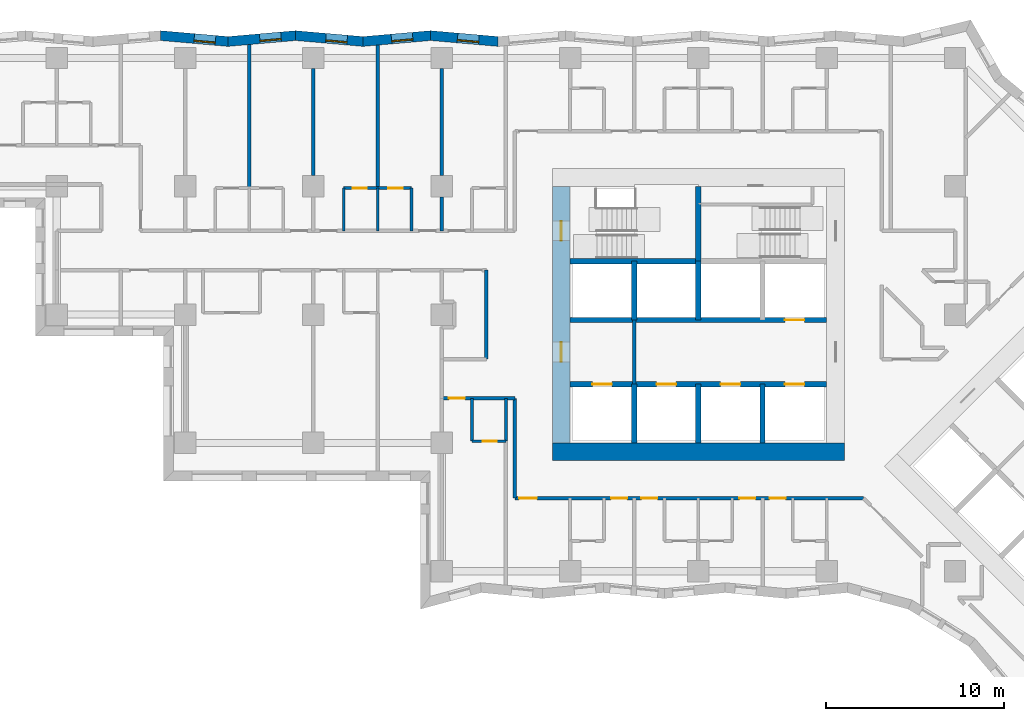
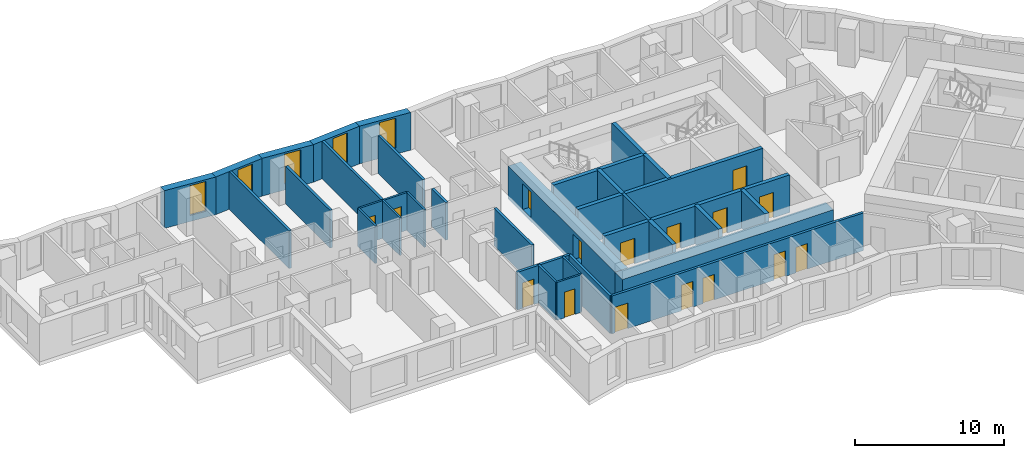
# One storey, part 5 of 13: 33 walls, 16 doors, 5 windows, 21 openings.
"""IFC4 building model written with IfcOpenShell, lengths in metres."""

from ifc_helpers import new_model, si_unit, direction, frame, frame_2d, origin, place, context, subcontext, project, spatial, polyline, rectangle, outline, extrude, material, layer, layer_set, type_object, element, fill, save


model = new_model("IFC4")

# Units and contexts
model_context = context("Model", 3, precision=1e-05, world=origin(), true_north=direction((0.0, 1.0)))
body_context = subcontext(model_context, "Body", "Model", "MODEL_VIEW")
ifc_project = project(units=[si_unit("LENGTHUNIT", "METRE"), si_unit("AREAUNIT", "SQUARE_METRE"), si_unit("VOLUMEUNIT", "CUBIC_METRE"), si_unit("PLANEANGLEUNIT", "RADIAN"), si_unit("MASSUNIT", "GRAM", prefix="KILO")], contexts=[model_context])

# Site, building, storey
site_placement = place(None, origin())
site = spatial("IfcSite", under=ifc_project, at=site_placement, CompositionType="ELEMENT")
building_placement = place(site_placement, origin())
building = spatial("IfcBuilding", under=site, at=building_placement, Name="Windrow Commons", CompositionType="ELEMENT")
storey_placement = place(building_placement, frame((0.0, 0.0, 30.4)))
storey = spatial("IfcBuildingStorey", under=building, at=storey_placement, Name="L07", CompositionType="ELEMENT", Elevation=30.4)

# Wall, opening, window
ifc_material_1 = material(Name="Brick masonry, red clay brick", Category="masonry")
ifc_layer_1 = layer(ifc_material_1, 0.55)
ifc_layer_set_1 = layer_set([ifc_layer_1], Name="Brick facade wall 550")
wall_type_1 = type_object("IfcWallType", Name="Brick facade wall 550", PredefinedType="SOLIDWALL", material=ifc_layer_set_1)
wall_1_placement = place(storey_placement, frame((53.5644, 72.924, 0.0), z_axis=(0.0, 0.0, 1.0), x_axis=(-0.9962271558, 0.0867839505, 0.0)))
wall_1 = element("IfcWall", 1, at=wall_1_placement, inside=storey, type_object=wall_type_1, Name="Brick facade wall L07 30", PredefinedType="SOLIDWALL", context=body_context, shape_type="SweptSolid", body=[
    extrude(outline(polyline([(0.024, -0.275), (3.8266, -0.275), (3.7787, 0.275), (-0.024, 0.275), (0.024, -0.275)])), origin(), (0.0, 0.0, 1.0), 3.1),
])
opening_1_placement = place(wall_1_placement, frame((1.0882, 0.0, 0.5)))
opening_1 = element("IfcOpeningElement", 2, at=opening_1_placement, cuts=wall_1, Name="Opening W7D", PredefinedType="OPENING", context=body_context, shape_type="SweptSolid", body=[
    extrude(rectangle(XDim=1.2, YDim=2.45, at=frame_2d((0.6, 1.225))), frame((0.0, 0.285, 0.0), z_axis=(0.0, -1.0, 0.0), x_axis=(1.0, 0.0, 0.0)), (0.0, 0.0, 1.0), 0.57),
])
ifc_material_2 = material(Name="Clear float glass in anodised aluminium frame", Category="aluminium")
window_type = type_object("IfcWindowType", Name="Window W7 notch 1200x2450", PartitioningType="SINGLE_PANEL", PredefinedType="WINDOW", material=ifc_material_2)
window_1_placement = place(opening_1_placement, origin())
window_1 = element("IfcWindow", 3, at=window_1_placement, inside=storey, type_object=window_type, Name="Window L07 30.1", OverallHeight=2.45, OverallWidth=1.2, PartitioningType="SINGLE_PANEL", PredefinedType="WINDOW", context=body_context, shape_type="SweptSolid", body=[
    extrude(rectangle(XDim=1.2, YDim=2.45, at=frame_2d((0.6, 1.225))), frame((0.0, 0.155, 0.0), z_axis=(0.0, -1.0, 0.0), x_axis=(1.0, 0.0, 0.0)), (0.0, 0.0, 1.0), 0.06),
])
fill(opening_1, window_1)

wall_2_placement = place(storey_placement, frame((49.7762, 73.254, 0.0), z_axis=(0.0, 0.0, 1.0), x_axis=(-0.9962273538, -0.0867816769, 0.0)))
wall_2 = element("IfcWall", 4, at=wall_2_placement, inside=storey, type_object=wall_type_1, Name="Brick facade wall L07 31", PredefinedType="SOLIDWALL", context=body_context, shape_type="SweptSolid", body=[
    extrude(outline(polyline([(-0.024, -0.275), (3.7787, -0.275), (3.8266, 0.275), (0.024, 0.275), (-0.024, -0.275)])), origin(), (0.0, 0.0, 1.0), 3.1),
])
opening_2_placement = place(wall_2_placement, frame((1.0057, 0.0, 0.5)))
opening_2 = element("IfcOpeningElement", 5, at=opening_2_placement, cuts=wall_2, Name="Opening W7D", PredefinedType="OPENING", context=body_context, shape_type="SweptSolid", body=[
    extrude(rectangle(XDim=1.2, YDim=2.45, at=frame_2d((0.6, 1.225))), frame((0.0, 0.285, 0.0), z_axis=(0.0, -1.0, 0.0), x_axis=(1.0, 0.0, 0.0)), (0.0, 0.0, 1.0), 0.57),
])
window_2_placement = place(opening_2_placement, origin())
window_2 = element("IfcWindow", 6, at=window_2_placement, inside=storey, type_object=window_type, Name="Window L07 31.1", OverallHeight=2.45, OverallWidth=1.2, PartitioningType="SINGLE_PANEL", PredefinedType="WINDOW", context=body_context, shape_type="SweptSolid", body=[
    extrude(rectangle(XDim=1.2, YDim=2.45, at=frame_2d((0.6, 1.225))), frame((0.0, 0.155, 0.0), z_axis=(0.0, -1.0, 0.0), x_axis=(1.0, 0.0, 0.0)), (0.0, 0.0, 1.0), 0.06),
])
fill(opening_2, window_2)

wall_3_placement = place(storey_placement, frame((45.9879, 72.924, 0.0), z_axis=(0.0, 0.0, 1.0), x_axis=(-0.9962273538, 0.0867816769, 0.0)))
wall_3 = element("IfcWall", 7, at=wall_3_placement, inside=storey, type_object=wall_type_1, Name="Brick facade wall L07 32", PredefinedType="SOLIDWALL", context=body_context, shape_type="SweptSolid", body=[
    extrude(outline(polyline([(0.024, -0.275), (3.8266, -0.275), (3.7787, 0.275), (-0.024, 0.275), (0.024, -0.275)])), origin(), (0.0, 0.0, 1.0), 3.1),
])
opening_3_placement = place(wall_3_placement, frame((0.8992, 0.0, 0.5)))
opening_3 = element("IfcOpeningElement", 8, at=opening_3_placement, cuts=wall_3, Name="Opening W7D", PredefinedType="OPENING", context=body_context, shape_type="SweptSolid", body=[
    extrude(rectangle(XDim=1.2, YDim=2.45, at=frame_2d((0.6, 1.225))), frame((0.0, 0.285, 0.0), z_axis=(0.0, -1.0, 0.0), x_axis=(1.0, 0.0, 0.0)), (0.0, 0.0, 1.0), 0.57),
])
window_3_placement = place(opening_3_placement, origin())
window_3 = element("IfcWindow", 9, at=window_3_placement, inside=storey, type_object=window_type, Name="Window L07 32.1", OverallHeight=2.45, OverallWidth=1.2, PartitioningType="SINGLE_PANEL", PredefinedType="WINDOW", context=body_context, shape_type="SweptSolid", body=[
    extrude(rectangle(XDim=1.2, YDim=2.45, at=frame_2d((0.6, 1.225))), frame((0.0, 0.155, 0.0), z_axis=(0.0, -1.0, 0.0), x_axis=(1.0, 0.0, 0.0)), (0.0, 0.0, 1.0), 0.06),
])
fill(opening_3, window_3)

wall_4_placement = place(storey_placement, frame((42.1996, 73.254, 0.0), z_axis=(0.0, 0.0, 1.0), x_axis=(-0.9962273538, -0.0867816769, 0.0)))
wall_4 = element("IfcWall", 10, at=wall_4_placement, inside=storey, type_object=wall_type_1, Name="Brick facade wall L07 33", PredefinedType="SOLIDWALL", context=body_context, shape_type="SweptSolid", body=[
    extrude(outline(polyline([(-0.024, -0.275), (3.7787, -0.275), (3.8266, 0.275), (0.024, 0.275), (-0.024, -0.275)])), origin(), (0.0, 0.0, 1.0), 3.1),
])
opening_4_placement = place(wall_4_placement, frame((0.8167, 0.0, 0.5)))
opening_4 = element("IfcOpeningElement", 11, at=opening_4_placement, cuts=wall_4, Name="Opening W7D", PredefinedType="OPENING", context=body_context, shape_type="SweptSolid", body=[
    extrude(rectangle(XDim=1.2, YDim=2.45, at=frame_2d((0.6, 1.225))), frame((0.0, 0.285, 0.0), z_axis=(0.0, -1.0, 0.0), x_axis=(1.0, 0.0, 0.0)), (0.0, 0.0, 1.0), 0.57),
])
window_4_placement = place(opening_4_placement, origin())
window_4 = element("IfcWindow", 12, at=window_4_placement, inside=storey, type_object=window_type, Name="Window L07 33.1", OverallHeight=2.45, OverallWidth=1.2, PartitioningType="SINGLE_PANEL", PredefinedType="WINDOW", context=body_context, shape_type="SweptSolid", body=[
    extrude(rectangle(XDim=1.2, YDim=2.45, at=frame_2d((0.6, 1.225))), frame((0.0, 0.155, 0.0), z_axis=(0.0, -1.0, 0.0), x_axis=(1.0, 0.0, 0.0)), (0.0, 0.0, 1.0), 0.06),
])
fill(opening_4, window_4)

wall_5_placement = place(storey_placement, frame((38.4113, 72.924, 0.0), z_axis=(0.0, 0.0, 1.0), x_axis=(-0.9962271558, 0.0867839505, 0.0)))
wall_5 = element("IfcWall", 13, at=wall_5_placement, inside=storey, type_object=wall_type_1, Name="Brick facade wall L07 34", PredefinedType="SOLIDWALL", context=body_context, shape_type="SweptSolid", body=[
    extrude(outline(polyline([(0.024, -0.275), (3.8266, -0.275), (3.7787, 0.275), (-0.024, 0.275), (0.024, -0.275)])), origin(), (0.0, 0.0, 1.0), 3.1),
])
opening_5_placement = place(wall_5_placement, frame((0.7102, 0.0, 0.5)))
opening_5 = element("IfcOpeningElement", 14, at=opening_5_placement, cuts=wall_5, Name="Opening W7D", PredefinedType="OPENING", context=body_context, shape_type="SweptSolid", body=[
    extrude(rectangle(XDim=1.2, YDim=2.45, at=frame_2d((0.6, 1.225))), frame((0.0, 0.285, 0.0), z_axis=(0.0, -1.0, 0.0), x_axis=(1.0, 0.0, 0.0)), (0.0, 0.0, 1.0), 0.57),
])
window_5_placement = place(opening_5_placement, origin())
window_5 = element("IfcWindow", 15, at=window_5_placement, inside=storey, type_object=window_type, Name="Window L07 34.1", OverallHeight=2.45, OverallWidth=1.2, PartitioningType="SINGLE_PANEL", PredefinedType="WINDOW", context=body_context, shape_type="SweptSolid", body=[
    extrude(rectangle(XDim=1.2, YDim=2.45, at=frame_2d((0.6, 1.225))), frame((0.0, 0.155, 0.0), z_axis=(0.0, -1.0, 0.0), x_axis=(1.0, 0.0, 0.0)), (0.0, 0.0, 1.0), 0.06),
])
fill(opening_5, window_5)

# Wall
ifc_material_3 = material(Name="Blockwork partition", Category="masonry")
ifc_layer_2 = layer(ifc_material_3, 0.2)
ifc_layer_set_2 = layer_set([ifc_layer_2], Name="Fire lobby partition 200")
wall_type_2 = type_object("IfcWallType", Name="Fire lobby partition 200", PredefinedType="PARTITIONING", material=ifc_layer_set_2)
wall_6_placement = place(storey_placement, frame((61.2, 53.7, 0.0), z_axis=(0.0, 0.0, 1.0), x_axis=(0.0, 1.0, 0.0)))
element("IfcWall", 16, at=wall_6_placement, inside=storey, type_object=wall_type_2, Name="W-core-lobby-A-L07", PredefinedType="PARTITIONING", context=body_context, shape_type="SweptSolid", body=[
    extrude(rectangle(XDim=3.6, YDim=0.2, at=frame_2d((1.8, 0.0))), origin(), (0.0, 0.0, 1.0), 3.1),
])

# Wall, openings, doors
ifc_material_4 = material(Name="Blockwork partition", Category="masonry")
ifc_layer_3 = layer(ifc_material_4, 0.2)
ifc_layer_set_3 = layer_set([ifc_layer_3], Name="IW-CORRIDOR-200")
wall_type_3 = type_object("IfcWallType", Name="IW-CORRIDOR-200", PredefinedType="PARTITIONING", material=ifc_layer_set_3)
wall_7_placement = place(storey_placement, frame((54.5, 47.3, 0.0), z_axis=(0.0, 0.0, 1.0), x_axis=(1.0, 0.0, 0.0)))
wall_7 = element("IfcWall", 17, at=wall_7_placement, inside=storey, type_object=wall_type_3, Name="W-L07-W003", PredefinedType="PARTITIONING", context=body_context, shape_type="SweptSolid", body=[
    extrude(rectangle(XDim=19.56, YDim=0.2, at=frame_2d((9.78, 0.0))), origin(), (0.0, 0.0, 1.0), 3.1),
])
opening_6_placement = place(wall_7_placement, frame((0.2434, 0.0, 0.0)))
opening_6 = element("IfcOpeningElement", 18, at=opening_6_placement, cuts=wall_7, Name="Opening D310F", PredefinedType="OPENING", context=body_context, shape_type="SweptSolid", body=[
    extrude(rectangle(XDim=1.0, YDim=2.1, at=frame_2d((0.5, 1.05))), frame((0.0, 0.11, 0.0), z_axis=(0.0, -1.0, 0.0), x_axis=(1.0, 0.0, 0.0)), (0.0, 0.0, 1.0), 0.22),
])
opening_7_placement = place(wall_7_placement, frame((5.4, 0.0, 0.0)))
opening_7 = element("IfcOpeningElement", 19, at=opening_7_placement, cuts=wall_7, Name="Opening D109S", PredefinedType="OPENING", context=body_context, shape_type="SweptSolid", body=[
    extrude(rectangle(XDim=0.9, YDim=2.1, at=frame_2d((0.45, 1.05))), frame((0.0, 0.11, 0.0), z_axis=(0.0, -1.0, 0.0), x_axis=(1.0, 0.0, 0.0)), (0.0, 0.0, 1.0), 0.22),
])
opening_8_placement = place(wall_7_placement, frame((7.1, 0.0, 0.0)))
opening_8 = element("IfcOpeningElement", 20, at=opening_8_placement, cuts=wall_7, Name="Opening D109S", PredefinedType="OPENING", context=body_context, shape_type="SweptSolid", body=[
    extrude(rectangle(XDim=0.9, YDim=2.1, at=frame_2d((0.45, 1.05))), frame((0.0, 0.11, 0.0), z_axis=(0.0, -1.0, 0.0), x_axis=(1.0, 0.0, 0.0)), (0.0, 0.0, 1.0), 0.22),
])
opening_9_placement = place(wall_7_placement, frame((12.6, 0.0, 0.0)))
opening_9 = element("IfcOpeningElement", 21, at=opening_9_placement, cuts=wall_7, Name="Opening D109S", PredefinedType="OPENING", context=body_context, shape_type="SweptSolid", body=[
    extrude(rectangle(XDim=0.9, YDim=2.1, at=frame_2d((0.45, 1.05))), frame((0.0, 0.11, 0.0), z_axis=(0.0, -1.0, 0.0), x_axis=(1.0, 0.0, 0.0)), (0.0, 0.0, 1.0), 0.22),
])
opening_10_placement = place(wall_7_placement, frame((14.3, 0.0, 0.0)))
opening_10 = element("IfcOpeningElement", 22, at=opening_10_placement, cuts=wall_7, Name="Opening D109S", PredefinedType="OPENING", context=body_context, shape_type="SweptSolid", body=[
    extrude(rectangle(XDim=0.9, YDim=2.1, at=frame_2d((0.45, 1.05))), frame((0.0, 0.11, 0.0), z_axis=(0.0, -1.0, 0.0), x_axis=(1.0, 0.0, 0.0)), (0.0, 0.0, 1.0), 0.22),
])
ifc_material_5 = material(Name="Timber door leaf", Category="wood")
door_type_1 = type_object("IfcDoorType", Name="DT-AMENITY-1000", OperationType="SINGLE_SWING_LEFT", PredefinedType="DOOR", material=ifc_material_5)
door_1_placement = place(opening_6_placement, origin())
door_1 = element("IfcDoor", 23, at=door_1_placement, inside=storey, type_object=door_type_1, Name="D-L07-D030", OperationType="SINGLE_SWING_RIGHT", OverallHeight=2.1, OverallWidth=1.0, PredefinedType="DOOR", context=body_context, shape_type="SweptSolid", body=[
    extrude(rectangle(XDim=1.0, YDim=2.1, at=frame_2d((0.5, 1.05))), frame((0.0, 0.025, 0.0), z_axis=(0.0, -1.0, 0.0), x_axis=(1.0, 0.0, 0.0)), (0.0, 0.0, 1.0), 0.05),
])
fill(opening_6, door_1)
ifc_material_6 = material(Name="Timber door leaf", Category="wood")
door_type_2 = type_object("IfcDoorType", Name="DT-BEDROOM-900", OperationType="SINGLE_SWING_LEFT", PredefinedType="DOOR", material=ifc_material_6)
door_2_placement = place(opening_7_placement, origin())
door_2 = element("IfcDoor", 24, at=door_2_placement, inside=storey, type_object=door_type_2, Name="D-L07-D039", OperationType="SINGLE_SWING_LEFT", OverallHeight=2.1, OverallWidth=0.9, PredefinedType="DOOR", context=body_context, shape_type="SweptSolid", body=[
    extrude(rectangle(XDim=0.9, YDim=2.1, at=frame_2d((0.45, 1.05))), frame((0.0, 0.025, 0.0), z_axis=(0.0, -1.0, 0.0), x_axis=(1.0, 0.0, 0.0)), (0.0, 0.0, 1.0), 0.05),
])
fill(opening_7, door_2)
door_3_placement = place(opening_8_placement, origin())
door_3 = element("IfcDoor", 25, at=door_3_placement, inside=storey, type_object=door_type_2, Name="D-L07-D041", OperationType="SINGLE_SWING_RIGHT", OverallHeight=2.1, OverallWidth=0.9, PredefinedType="DOOR", context=body_context, shape_type="SweptSolid", body=[
    extrude(rectangle(XDim=0.9, YDim=2.1, at=frame_2d((0.45, 1.05))), frame((0.0, 0.025, 0.0), z_axis=(0.0, -1.0, 0.0), x_axis=(1.0, 0.0, 0.0)), (0.0, 0.0, 1.0), 0.05),
])
fill(opening_8, door_3)
door_4_placement = place(opening_9_placement, origin())
door_4 = element("IfcDoor", 26, at=door_4_placement, inside=storey, type_object=door_type_2, Name="D-L07-D043", OperationType="SINGLE_SWING_LEFT", OverallHeight=2.1, OverallWidth=0.9, PredefinedType="DOOR", context=body_context, shape_type="SweptSolid", body=[
    extrude(rectangle(XDim=0.9, YDim=2.1, at=frame_2d((0.45, 1.05))), frame((0.0, 0.025, 0.0), z_axis=(0.0, -1.0, 0.0), x_axis=(1.0, 0.0, 0.0)), (0.0, 0.0, 1.0), 0.05),
])
fill(opening_9, door_4)
door_5_placement = place(opening_10_placement, origin())
door_5 = element("IfcDoor", 27, at=door_5_placement, inside=storey, type_object=door_type_2, Name="D-L07-D045", OperationType="SINGLE_SWING_RIGHT", OverallHeight=2.1, OverallWidth=0.9, PredefinedType="DOOR", context=body_context, shape_type="SweptSolid", body=[
    extrude(rectangle(XDim=0.9, YDim=2.1, at=frame_2d((0.45, 1.05))), frame((0.0, 0.025, 0.0), z_axis=(0.0, -1.0, 0.0), x_axis=(1.0, 0.0, 0.0)), (0.0, 0.0, 1.0), 0.05),
])
fill(opening_10, door_5)

# Walls
wall_8_placement = place(storey_placement, frame((54.5, 47.3, 0.0), z_axis=(0.0, 0.0, 1.0), x_axis=(0.0, 1.0, 0.0)))
element("IfcWall", 28, at=wall_8_placement, inside=storey, type_object=wall_type_3, Name="W-L07-W038", PredefinedType="PARTITIONING", context=body_context, shape_type="SweptSolid", body=[
    extrude(rectangle(XDim=5.6, YDim=0.2, at=frame_2d((2.8, 0.0))), origin(), (0.0, 0.0, 1.0), 3.1),
])
wall_9_placement = place(storey_placement, frame((52.9, 55.102, 0.0), z_axis=(0.0, 0.0, 1.0), x_axis=(0.0, 1.0, 0.0)))
element("IfcWall", 29, at=wall_9_placement, inside=storey, type_object=wall_type_3, Name="W-L07-W048", PredefinedType="PARTITIONING", context=body_context, shape_type="SweptSolid", body=[
    extrude(rectangle(XDim=4.998, YDim=0.2, at=frame_2d((2.499, 0.0))), origin(), (0.0, 0.0, 1.0), 3.1),
])

# Wall, opening, door
wall_10_placement = place(storey_placement, frame((50.4, 52.9, 0.0), z_axis=(0.0, 0.0, 1.0), x_axis=(1.0, 0.0, 0.0)))
wall_10 = element("IfcWall", 30, at=wall_10_placement, inside=storey, type_object=wall_type_3, Name="W-L07-W057", PredefinedType="PARTITIONING", context=body_context, shape_type="SweptSolid", body=[
    extrude(rectangle(XDim=4.1, YDim=0.2, at=frame_2d((2.05, 0.0))), origin(), (0.0, 0.0, 1.0), 3.1),
])
opening_11_placement = place(wall_10_placement, frame((0.4, 0.0, 0.0)))
opening_11 = element("IfcOpeningElement", 31, at=opening_11_placement, cuts=wall_10, Name="Opening D109S", PredefinedType="OPENING", context=body_context, shape_type="SweptSolid", body=[
    extrude(rectangle(XDim=0.9, YDim=2.1, at=frame_2d((0.45, 1.05))), frame((0.0, 0.11, 0.0), z_axis=(0.0, -1.0, 0.0), x_axis=(1.0, 0.0, 0.0)), (0.0, 0.0, 1.0), 0.22),
])
door_6_placement = place(opening_11_placement, origin())
door_6 = element("IfcDoor", 32, at=door_6_placement, inside=storey, type_object=door_type_2, Name="D-L07-D028", OperationType="SINGLE_SWING_LEFT", OverallHeight=2.1, OverallWidth=0.9, PredefinedType="DOOR", context=body_context, shape_type="SweptSolid", body=[
    extrude(rectangle(XDim=0.9, YDim=2.1, at=frame_2d((0.45, 1.05))), frame((0.0, 0.025, 0.0), z_axis=(0.0, -1.0, 0.0), x_axis=(1.0, 0.0, 0.0)), (0.0, 0.0, 1.0), 0.05),
])
fill(opening_11, door_6)

# Wall, openings, doors
ifc_material_7 = material(Name="Blockwork partition", Category="masonry")
ifc_layer_4 = layer(ifc_material_7, 0.15)
ifc_layer_set_4 = layer_set([ifc_layer_4], Name="IW-ENSUITE-150")
wall_type_4 = type_object("IfcWallType", Name="IW-ENSUITE-150", PredefinedType="PARTITIONING", material=ifc_layer_set_4)
wall_11_placement = place(storey_placement, frame((44.9, 64.7, 0.0), z_axis=(0.0, 0.0, 1.0), x_axis=(1.0, 0.0, 0.0)))
wall_11 = element("IfcWall", 33, at=wall_11_placement, inside=storey, type_object=wall_type_4, Name="W-L07-W060", PredefinedType="PARTITIONING", context=body_context, shape_type="SweptSolid", body=[
    extrude(rectangle(XDim=3.8, YDim=0.15, at=frame_2d((1.9, 0.0))), origin(), (0.0, 0.0, 1.0), 3.1),
])
opening_12_placement = place(wall_11_placement, frame((0.4931, 0.0, 0.0)))
opening_12 = element("IfcOpeningElement", 34, at=opening_12_placement, cuts=wall_11, Name="Opening D208N", PredefinedType="OPENING", context=body_context, shape_type="SweptSolid", body=[
    extrude(rectangle(XDim=0.8, YDim=2.1, at=frame_2d((0.4, 1.05))), frame((0.0, 0.085, 0.0), z_axis=(0.0, -1.0, 0.0), x_axis=(1.0, 0.0, 0.0)), (0.0, 0.0, 1.0), 0.17),
])
opening_13_placement = place(wall_11_placement, frame((2.5069, 0.0, 0.0)))
opening_13 = element("IfcOpeningElement", 35, at=opening_13_placement, cuts=wall_11, Name="Opening D208N", PredefinedType="OPENING", context=body_context, shape_type="SweptSolid", body=[
    extrude(rectangle(XDim=0.8, YDim=2.1, at=frame_2d((0.4, 1.05))), frame((0.0, 0.085, 0.0), z_axis=(0.0, -1.0, 0.0), x_axis=(1.0, 0.0, 0.0)), (0.0, 0.0, 1.0), 0.17),
])
ifc_material_8 = material(Name="Timber door leaf", Category="wood")
door_type_3 = type_object("IfcDoorType", Name="DT-ENSUITE-800", OperationType="SINGLE_SWING_LEFT", PredefinedType="DOOR", material=ifc_material_8)
door_7_placement = place(opening_12_placement, origin())
door_7 = element("IfcDoor", 36, at=door_7_placement, inside=storey, type_object=door_type_3, Name="D-L07-D019", OperationType="SINGLE_SWING_RIGHT", OverallHeight=2.1, OverallWidth=0.8, PredefinedType="DOOR", context=body_context, shape_type="SweptSolid", body=[
    extrude(rectangle(XDim=0.8, YDim=2.1, at=frame_2d((0.4, 1.05))), frame((0.0, 0.025, 0.0), z_axis=(0.0, -1.0, 0.0), x_axis=(1.0, 0.0, 0.0)), (0.0, 0.0, 1.0), 0.05),
])
fill(opening_12, door_7)
door_8_placement = place(opening_13_placement, origin())
door_8 = element("IfcDoor", 37, at=door_8_placement, inside=storey, type_object=door_type_3, Name="D-L07-D021", OperationType="SINGLE_SWING_RIGHT", OverallHeight=2.1, OverallWidth=0.8, PredefinedType="DOOR", context=body_context, shape_type="SweptSolid", body=[
    extrude(rectangle(XDim=0.8, YDim=2.1, at=frame_2d((0.4, 1.05))), frame((0.0, 0.025, 0.0), z_axis=(0.0, -1.0, 0.0), x_axis=(1.0, 0.0, 0.0)), (0.0, 0.0, 1.0), 0.05),
])
fill(opening_13, door_8)

# Walls
for number, where, z_axis, x_axis, name in (
    (38, (44.9, 62.3, 0.0), (0.0, 0.0, 1.0), (0.0, 1.0, 0.0), "W-L07-W090"),
    (39, (46.8, 62.3, 0.0), (0.0, 0.0, 1.0), (0.0, 1.0, 0.0), "W-L07-W091"),
    (40, (48.7, 62.3, 0.0), (0.0, 0.0, 1.0), (0.0, 1.0, 0.0), "W-L07-W092"),
    (41, (52.1, 50.5, 0.0), (0.0, 0.0, 1.0), (0.0, 1.0, 0.0), "W-L07-W099"),
    (42, (54.0, 50.5, 0.0), (0.0, 0.0, 1.0), (0.0, 1.0, 0.0), "W-L07-W100"),
):
    element("IfcWall", number, at=place(storey_placement, frame(where, z_axis=z_axis, x_axis=x_axis)), inside=storey, type_object=wall_type_4, Name=name, PredefinedType="PARTITIONING", context=body_context, shape_type="SweptSolid", body=[
        extrude(rectangle(XDim=2.4, YDim=0.15, at=frame_2d((1.2, 0.0))), origin(), (0.0, 0.0, 1.0), 3.1),
    ])

# Wall, opening, door
wall_12_placement = place(storey_placement, frame((52.1, 50.5, 0.0), z_axis=(0.0, 0.0, 1.0), x_axis=(1.0, 0.0, 0.0)))
wall_12 = element("IfcWall", 43, at=wall_12_placement, inside=storey, type_object=wall_type_4, Name="W-L07-W152", PredefinedType="PARTITIONING", context=body_context, shape_type="SweptSolid", body=[
    extrude(rectangle(XDim=1.9, YDim=0.15, at=frame_2d((0.95, 0.0))), origin(), (0.0, 0.0, 1.0), 3.1),
])
opening_14_placement = place(wall_12_placement, frame((0.5979, 0.0, 0.0)))
opening_14 = element("IfcOpeningElement", 44, at=opening_14_placement, cuts=wall_12, Name="Opening D208N", PredefinedType="OPENING", context=body_context, shape_type="SweptSolid", body=[
    extrude(rectangle(XDim=0.8, YDim=2.1, at=frame_2d((0.4, 1.05))), frame((0.0, 0.085, 0.0), z_axis=(0.0, -1.0, 0.0), x_axis=(1.0, 0.0, 0.0)), (0.0, 0.0, 1.0), 0.17),
])
door_9_placement = place(opening_14_placement, origin())
door_9 = element("IfcDoor", 45, at=door_9_placement, inside=storey, type_object=door_type_3, Name="D-L07-D029", OperationType="SINGLE_SWING_RIGHT", OverallHeight=2.1, OverallWidth=0.8, PredefinedType="DOOR", context=body_context, shape_type="SweptSolid", body=[
    extrude(rectangle(XDim=0.8, YDim=2.1, at=frame_2d((0.4, 1.05))), frame((0.0, 0.025, 0.0), z_axis=(0.0, -1.0, 0.0), x_axis=(1.0, 0.0, 0.0)), (0.0, 0.0, 1.0), 0.05),
])
fill(opening_14, door_9)

# Walls
ifc_material_9 = material(Name="Blockwork partition", Category="masonry")
ifc_layer_5 = layer(ifc_material_9, 0.2)
ifc_layer_set_5 = layer_set([ifc_layer_5], Name="IW-PARTY-200")
wall_type_5 = type_object("IfcWallType", Name="IW-PARTY-200", PredefinedType="PARTITIONING", material=ifc_layer_set_5)
wall_13_placement = place(storey_placement, frame((39.6, 64.7, 0.0), z_axis=(0.0, 0.0, 1.0), x_axis=(0.0, 1.0, 0.0)))
element("IfcWall", 46, at=wall_13_placement, inside=storey, type_object=wall_type_5, Name="W-L07-W016", PredefinedType="PARTITIONING", context=body_context, shape_type="SweptSolid", body=[
    extrude(rectangle(XDim=8.0515, YDim=0.2, at=frame_2d((4.0258, 0.0))), origin(), (0.0, 0.0, 1.0), 3.1),
])
wall_14_placement = place(storey_placement, frame((46.8, 64.7, 0.0), z_axis=(0.0, 0.0, 1.0), x_axis=(0.0, 1.0, 0.0)))
element("IfcWall", 47, at=wall_14_placement, inside=storey, type_object=wall_type_5, Name="W-L07-W018", PredefinedType="PARTITIONING", context=body_context, shape_type="SweptSolid", body=[
    extrude(rectangle(XDim=8.0187, YDim=0.2, at=frame_2d((4.0094, 0.0))), origin(), (0.0, 0.0, 1.0), 3.1),
])
for number, where, z_axis, x_axis, name in (
    (48, (43.2, 65.4, 0.0), (0.0, 0.0, 1.0), (0.0, 1.0, 0.0), "W-L07-W032"),
    (49, (50.4, 65.4, 0.0), (0.0, 0.0, 1.0), (0.0, 1.0, 0.0), "W-L07-W034"),
):
    element("IfcWall", number, at=place(storey_placement, frame(where, z_axis=z_axis, x_axis=x_axis)), inside=storey, type_object=wall_type_5, Name=name, PredefinedType="PARTITIONING", context=body_context, shape_type="SweptSolid", body=[
        extrude(rectangle(XDim=6.0, YDim=0.2, at=frame_2d((3.0, 0.0))), origin(), (0.0, 0.0, 1.0), 3.1),
    ])
wall_15_placement = place(storey_placement, frame((50.4, 62.3, 0.0), z_axis=(0.0, 0.0, 1.0), x_axis=(0.0, 1.0, 0.0)))
element("IfcWall", 50, at=wall_15_placement, inside=storey, type_object=wall_type_5, Name="W-L07-W142", PredefinedType="PARTITIONING", context=body_context, shape_type="SweptSolid", body=[
    extrude(rectangle(XDim=1.9, YDim=0.2, at=frame_2d((0.95, 0.0))), origin(), (0.0, 0.0, 1.0), 3.1),
])
ifc_material_10 = material(Name="Concrete C60/75", Category="concrete")
ifc_layer_6 = layer(ifc_material_10, 1.0)
ifc_layer_set_6 = layer_set([ifc_layer_6], Name="RC CORE WALL 1000 C60/75")
wall_type_6 = type_object("IfcWallType", Name="RC CORE WALL 1000 C60/75", PredefinedType="SHEAR", material=ifc_layer_set_6)
wall_16_placement = place(storey_placement, frame((56.6, 49.9, -0.3), z_axis=(0.0, 0.0, 1.0), x_axis=(1.0, 0.0, 0.0)))
element("IfcWall", 51, at=wall_16_placement, inside=storey, type_object=wall_type_6, Name="Core A wall outer-S", PredefinedType="SHEAR", context=body_context, shape_type="SweptSolid", body=[
    extrude(rectangle(XDim=16.4, YDim=1.0, at=frame_2d((8.2, 0.0))), origin(), (0.0, 0.0, 1.0), 2.7),
])

# Wall, openings, doors
wall_17_placement = place(storey_placement, frame((57.1, 50.4, -0.3), z_axis=(0.0, 0.0, 1.0), x_axis=(0.0, 1.0, 0.0)))
wall_17 = element("IfcWall", 52, at=wall_17_placement, inside=storey, type_object=wall_type_6, Name="Core A wall outer-W", PredefinedType="SHEAR", context=body_context, shape_type="SweptSolid", body=[
    extrude(rectangle(XDim=14.4, YDim=1.0, at=frame_2d((7.2, 0.0))), origin(), (0.0, 0.0, 1.0), 2.7),
])
opening_15_placement = place(wall_17_placement, frame((4.55, 0.0, 0.3)))
opening_15 = element("IfcOpeningElement", 53, at=opening_15_placement, cuts=wall_17, Name="Opening D6", PredefinedType="OPENING", context=body_context, shape_type="SweptSolid", body=[
    extrude(rectangle(XDim=1.1, YDim=2.1, at=frame_2d((0.55, 1.05))), frame((0.0, 0.51, 0.0), z_axis=(0.0, -1.0, 0.0), x_axis=(1.0, 0.0, 0.0)), (0.0, 0.0, 1.0), 1.02),
])
opening_16_placement = place(wall_17_placement, frame((11.35, 0.0, 0.3)))
opening_16 = element("IfcOpeningElement", 54, at=opening_16_placement, cuts=wall_17, Name="Opening D7", PredefinedType="OPENING", context=body_context, shape_type="SweptSolid", body=[
    extrude(rectangle(XDim=1.1, YDim=2.1, at=frame_2d((0.55, 1.05))), frame((0.0, 0.51, 0.0), z_axis=(0.0, -1.0, 0.0), x_axis=(1.0, 0.0, 0.0)), (0.0, 0.0, 1.0), 1.02),
])
ifc_material_11 = material(Name="Steel fire door leaf", Category="steel")
door_type_4 = type_object("IfcDoorType", Name="Core lobby door 1100", OperationType="SINGLE_SWING_LEFT", PredefinedType="DOOR", material=ifc_material_11)
door_10_placement = place(opening_15_placement, origin())
door_10 = element("IfcDoor", 55, at=door_10_placement, inside=storey, type_object=door_type_4, Name="Lift lobby door", OperationType="DOUBLE_DOOR_SINGLE_SWING", OverallHeight=2.1, OverallWidth=1.1, PredefinedType="DOOR", context=body_context, shape_type="SweptSolid", body=[
    extrude(rectangle(XDim=1.1, YDim=2.1, at=frame_2d((0.55, 1.05))), frame((0.0, 0.025, 0.0), z_axis=(0.0, -1.0, 0.0), x_axis=(1.0, 0.0, 0.0)), (0.0, 0.0, 1.0), 0.05),
])
fill(opening_15, door_10)
ifc_material_12 = material(Name="Steel fire door leaf", Category="steel")
door_type_5 = type_object("IfcDoorType", Name="Stair door 1100", OperationType="SINGLE_SWING_LEFT", PredefinedType="DOOR", material=ifc_material_12)
door_11_placement = place(opening_16_placement, origin())
door_11 = element("IfcDoor", 56, at=door_11_placement, inside=storey, type_object=door_type_5, Name="Stair door", OperationType="SINGLE_SWING_LEFT", OverallHeight=2.1, OverallWidth=1.1, PredefinedType="DOOR", context=body_context, shape_type="SweptSolid", body=[
    extrude(rectangle(XDim=1.1, YDim=2.1, at=frame_2d((0.55, 1.05))), frame((0.0, 0.025, 0.0), z_axis=(0.0, -1.0, 0.0), x_axis=(1.0, 0.0, 0.0)), (0.0, 0.0, 1.0), 0.05),
])
fill(opening_16, door_11)

# Walls
ifc_material_13 = material(Name="Concrete C60/75", Category="concrete")
ifc_layer_7 = layer(ifc_material_13, 0.3)
ifc_layer_set_7 = layer_set([ifc_layer_7], Name="RC SHAFT WALL 300 C60/75")
wall_type_7 = type_object("IfcWallType", Name="RC SHAFT WALL 300 C60/75", PredefinedType="SOLIDWALL", material=ifc_layer_set_7)
for number, where, z_axis, x_axis, name in (
    (57, (61.2, 50.4, 0.0), (0.0, 0.0, 1.0), (0.0, 1.0, 0.0), "Core A wall shaft-S1"),
    (58, (61.2, 57.3, 0.0), (0.0, 0.0, 1.0), (0.0, 1.0, 0.0), "Core A wall shaft-N1"),
    (59, (64.8, 50.4, 0.0), (0.0, 0.0, 1.0), (0.0, 1.0, 0.0), "Core A wall shaft-S2"),
    (60, (64.8, 57.3, 0.0), (0.0, 0.0, 1.0), (0.0, 1.0, 0.0), "Core A wall shaft-N2"),
    (61, (68.4, 50.4, 0.0), (0.0, 0.0, 1.0), (0.0, 1.0, 0.0), "Core A wall shaft-S3"),
):
    element("IfcWall", number, at=place(storey_placement, frame(where, z_axis=z_axis, x_axis=x_axis)), inside=storey, type_object=wall_type_7, Name=name, PredefinedType="SOLIDWALL", context=body_context, shape_type="SweptSolid", body=[
        extrude(rectangle(XDim=3.3, YDim=0.3, at=frame_2d((1.65, 0.0))), origin(), (0.0, 0.0, 1.0), 3.1),
    ])

# Wall, openings, doors
wall_18_placement = place(storey_placement, frame((57.6, 53.7, 0.0), z_axis=(0.0, 0.0, 1.0), x_axis=(1.0, 0.0, 0.0)))
wall_18 = element("IfcWall", 62, at=wall_18_placement, inside=storey, type_object=wall_type_7, Name="Core A wall lobby-S", PredefinedType="SOLIDWALL", context=body_context, shape_type="SweptSolid", body=[
    extrude(rectangle(XDim=14.4, YDim=0.3, at=frame_2d((7.2, 0.0))), origin(), (0.0, 0.0, 1.0), 3.1),
])
opening_17_placement = place(wall_18_placement, frame((1.25, 0.0, 0.0)))
opening_17 = element("IfcOpeningElement", 63, at=opening_17_placement, cuts=wall_18, Name="Opening LD", PredefinedType="OPENING", context=body_context, shape_type="SweptSolid", body=[
    extrude(rectangle(XDim=1.1, YDim=2.1, at=frame_2d((0.55, 1.05))), frame((0.0, 0.16, 0.0), z_axis=(0.0, -1.0, 0.0), x_axis=(1.0, 0.0, 0.0)), (0.0, 0.0, 1.0), 0.32),
])
opening_18_placement = place(wall_18_placement, frame((4.85, 0.0, 0.0)))
opening_18 = element("IfcOpeningElement", 64, at=opening_18_placement, cuts=wall_18, Name="Opening LD", PredefinedType="OPENING", context=body_context, shape_type="SweptSolid", body=[
    extrude(rectangle(XDim=1.1, YDim=2.1, at=frame_2d((0.55, 1.05))), frame((0.0, 0.16, 0.0), z_axis=(0.0, -1.0, 0.0), x_axis=(1.0, 0.0, 0.0)), (0.0, 0.0, 1.0), 0.32),
])
opening_19_placement = place(wall_18_placement, frame((8.45, 0.0, 0.0)))
opening_19 = element("IfcOpeningElement", 65, at=opening_19_placement, cuts=wall_18, Name="Opening LD", PredefinedType="OPENING", context=body_context, shape_type="SweptSolid", body=[
    extrude(rectangle(XDim=1.1, YDim=2.1, at=frame_2d((0.55, 1.05))), frame((0.0, 0.16, 0.0), z_axis=(0.0, -1.0, 0.0), x_axis=(1.0, 0.0, 0.0)), (0.0, 0.0, 1.0), 0.32),
])
opening_20_placement = place(wall_18_placement, frame((12.05, 0.0, 0.0)))
opening_20 = element("IfcOpeningElement", 66, at=opening_20_placement, cuts=wall_18, Name="Opening LD", PredefinedType="OPENING", context=body_context, shape_type="SweptSolid", body=[
    extrude(rectangle(XDim=1.1, YDim=2.1, at=frame_2d((0.55, 1.05))), frame((0.0, 0.16, 0.0), z_axis=(0.0, -1.0, 0.0), x_axis=(1.0, 0.0, 0.0)), (0.0, 0.0, 1.0), 0.32),
])
ifc_material_14 = material(Name="Stainless steel door leaf", Category="steel")
door_type_6 = type_object("IfcDoorType", Name="Lift landing door 1100", OperationType="SLIDING_TO_LEFT", PredefinedType="DOOR", material=ifc_material_14)
door_12_placement = place(opening_17_placement, origin())
door_12 = element("IfcDoor", 67, at=door_12_placement, inside=storey, type_object=door_type_6, Name="Lift landing door", OperationType="SLIDING_TO_LEFT", OverallHeight=2.1, OverallWidth=1.1, PredefinedType="DOOR", context=body_context, shape_type="SweptSolid", body=[
    extrude(rectangle(XDim=1.1, YDim=2.1, at=frame_2d((0.55, 1.05))), frame((0.0, 0.025, 0.0), z_axis=(0.0, -1.0, 0.0), x_axis=(1.0, 0.0, 0.0)), (0.0, 0.0, 1.0), 0.05),
])
fill(opening_17, door_12)
door_13_placement = place(opening_18_placement, origin())
door_13 = element("IfcDoor", 68, at=door_13_placement, inside=storey, type_object=door_type_6, Name="Lift landing door", OperationType="SLIDING_TO_RIGHT", OverallHeight=2.1, OverallWidth=1.1, PredefinedType="DOOR", context=body_context, shape_type="SweptSolid", body=[
    extrude(rectangle(XDim=1.1, YDim=2.1, at=frame_2d((0.55, 1.05))), frame((0.0, 0.025, 0.0), z_axis=(0.0, -1.0, 0.0), x_axis=(1.0, 0.0, 0.0)), (0.0, 0.0, 1.0), 0.05),
])
fill(opening_18, door_13)
door_14_placement = place(opening_19_placement, origin())
door_14 = element("IfcDoor", 69, at=door_14_placement, inside=storey, type_object=door_type_6, Name="Lift landing door", OperationType="SLIDING_TO_LEFT", OverallHeight=2.1, OverallWidth=1.1, PredefinedType="DOOR", context=body_context, shape_type="SweptSolid", body=[
    extrude(rectangle(XDim=1.1, YDim=2.1, at=frame_2d((0.55, 1.05))), frame((0.0, 0.025, 0.0), z_axis=(0.0, -1.0, 0.0), x_axis=(1.0, 0.0, 0.0)), (0.0, 0.0, 1.0), 0.05),
])
fill(opening_19, door_14)
door_15_placement = place(opening_20_placement, origin())
door_15 = element("IfcDoor", 70, at=door_15_placement, inside=storey, type_object=door_type_6, Name="Lift landing door", OperationType="SLIDING_TO_RIGHT", OverallHeight=2.1, OverallWidth=1.1, PredefinedType="DOOR", context=body_context, shape_type="SweptSolid", body=[
    extrude(rectangle(XDim=1.1, YDim=2.1, at=frame_2d((0.55, 1.05))), frame((0.0, 0.025, 0.0), z_axis=(0.0, -1.0, 0.0), x_axis=(1.0, 0.0, 0.0)), (0.0, 0.0, 1.0), 0.05),
])
fill(opening_20, door_15)

# Wall, opening, door
wall_19_placement = place(storey_placement, frame((57.6, 57.3, 0.0), z_axis=(0.0, 0.0, 1.0), x_axis=(1.0, 0.0, 0.0)))
wall_19 = element("IfcWall", 71, at=wall_19_placement, inside=storey, type_object=wall_type_7, Name="Core A wall lobby-N", PredefinedType="SOLIDWALL", context=body_context, shape_type="SweptSolid", body=[
    extrude(rectangle(XDim=14.4, YDim=0.3, at=frame_2d((7.2, 0.0))), origin(), (0.0, 0.0, 1.0), 3.1),
])
opening_21_placement = place(wall_19_placement, frame((12.05, 0.0, 0.0)))
opening_21 = element("IfcOpeningElement", 72, at=opening_21_placement, cuts=wall_19, Name="Opening LD", PredefinedType="OPENING", context=body_context, shape_type="SweptSolid", body=[
    extrude(rectangle(XDim=1.1, YDim=2.1, at=frame_2d((0.55, 1.05))), frame((0.0, 0.16, 0.0), z_axis=(0.0, -1.0, 0.0), x_axis=(1.0, 0.0, 0.0)), (0.0, 0.0, 1.0), 0.32),
])
door_16_placement = place(opening_21_placement, origin())
door_16 = element("IfcDoor", 73, at=door_16_placement, inside=storey, type_object=door_type_6, Name="Lift landing door", OperationType="SLIDING_TO_RIGHT", OverallHeight=2.1, OverallWidth=1.1, PredefinedType="DOOR", context=body_context, shape_type="SweptSolid", body=[
    extrude(rectangle(XDim=1.1, YDim=2.1, at=frame_2d((0.55, 1.05))), frame((0.0, 0.025, 0.0), z_axis=(0.0, -1.0, 0.0), x_axis=(1.0, 0.0, 0.0)), (0.0, 0.0, 1.0), 0.05),
])
fill(opening_21, door_16)

# Walls
wall_20_placement = place(storey_placement, frame((57.6, 60.6, 0.0), z_axis=(0.0, 0.0, 1.0), x_axis=(1.0, 0.0, 0.0)))
element("IfcWall", 74, at=wall_20_placement, inside=storey, type_object=wall_type_7, Name="Core A wall stair-S", PredefinedType="SOLIDWALL", context=body_context, shape_type="SweptSolid", body=[
    extrude(rectangle(XDim=7.2, YDim=0.3, at=frame_2d((3.6, 0.0))), origin(), (0.0, 0.0, 1.0), 3.1),
])
wall_21_placement = place(storey_placement, frame((64.8, 60.6, 0.0), z_axis=(0.0, 0.0, 1.0), x_axis=(0.0, 1.0, 0.0)))
element("IfcWall", 75, at=wall_21_placement, inside=storey, type_object=wall_type_7, Name="Core A wall stair-mid", PredefinedType="SOLIDWALL", context=body_context, shape_type="SweptSolid", body=[
    extrude(rectangle(XDim=4.2, YDim=0.3, at=frame_2d((2.1, 0.0))), origin(), (0.0, 0.0, 1.0), 3.1),
])

save(model, "model.ifc")
